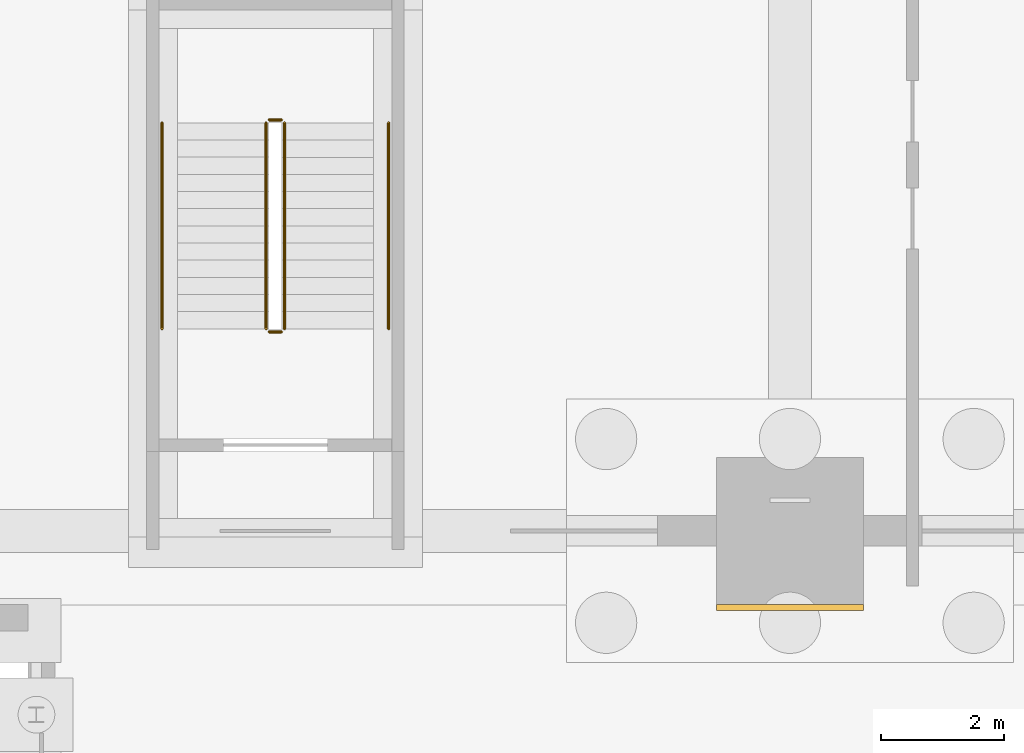
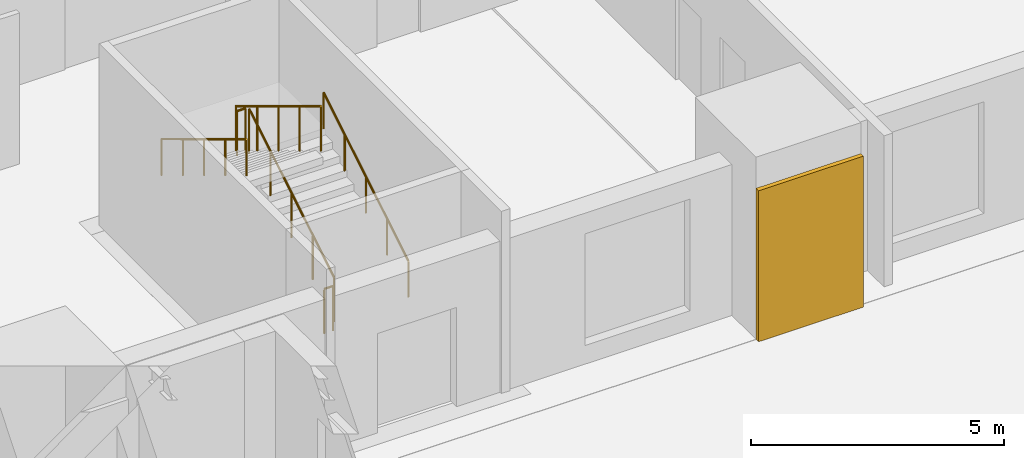
# One storey, part 118 of 139: 6 railings, 1 covering.
"""IFC4 building model written with IfcOpenShell, lengths in metres."""

from ifc_helpers import new_model, si_unit, direction, frame, origin, origin_2d, place, context, subcontext, project, spatial, rectangle, circle, extrude, material, layer, layer_set, type_object, element, save


model = new_model("IFC4")

# Units and contexts
model_context = context("Model", 3, precision=1e-05, world=origin(), true_north=direction((0.0, 1.0)))
body_context = subcontext(model_context, "Body", "Model", "MODEL_VIEW")
ifc_project = project(units=[si_unit("LENGTHUNIT", "METRE"), si_unit("AREAUNIT", "SQUARE_METRE"), si_unit("VOLUMEUNIT", "CUBIC_METRE"), si_unit("PLANEANGLEUNIT", "RADIAN"), si_unit("MASSUNIT", "GRAM", prefix="KILO")], contexts=[model_context])

# Site, building, storey
site_placement = place(None, origin())
site = spatial("IfcSite", under=ifc_project, at=site_placement, CompositionType="ELEMENT")
building_placement = place(site_placement, origin())
building = spatial("IfcBuilding", under=site, at=building_placement, Name="Verrick Yard Athletic Hall", CompositionType="ELEMENT")
storey_placement = place(building_placement, origin())
storey = spatial("IfcBuildingStorey", under=building, at=storey_placement, Name="L00", CompositionType="ELEMENT", Elevation=0.0)

# Covering
ifc_material_1 = material(Name="Rusticated limestone cladding", Category="masonry")
ifc_layer = layer(ifc_material_1, 0.10009765625)
ifc_layer_set = layer_set([ifc_layer], Name="Pier base cladding")
covering_type = type_object("IfcCoveringType", Name="Pier base cladding", PredefinedType="CLADDING", material=ifc_layer_set)
covering_placement = place(storey_placement, frame((124.0, 17.949951171875, 0.0), z_axis=(0.0, 0.0, 1.0), x_axis=(1.0, 0.0, 0.0)))
element("IfcCovering", 1, at=covering_placement, inside=storey, type_object=covering_type, Name="Pier base S6", PredefinedType="CLADDING", context=body_context, shape_type="SweptSolid", body=[
    extrude(rectangle(XDim=2.39990234375, YDim=0.10009765625, at=origin_2d()), origin(), (0.0, 0.0, 1.0), 3.64990234375),
])

# Railings
ifc_material_2 = material(Name="Stainless steel", Category="steel")
railing_type_1 = type_object("IfcRailingType", Name="Stair and core guard 1100", PredefinedType="GUARDRAIL", material=ifc_material_2)
railing_1_placement = place(storey_placement, frame((115.75, 22.5, 0.169189453125)))
element("IfcRailing", 2, at=railing_1_placement, inside=storey, type_object=railing_type_1, Name="L00 South plinth exit 3 stair guard 1", PredefinedType="GUARDRAIL", context=body_context, shape_type="SweptSolid", body=[
    extrude(circle(Radius=0.02392578125, at=origin_2d()), frame((0.0, 0.0, 1.076171875), z_axis=(0.0, 0.855836976705, 0.517245656632), x_axis=(-1.0, 0.0, 0.0)), (0.0, 0.0, 1.0), 3.926025390625),
    extrude(circle(Radius=0.02099609375, at=origin_2d()), origin(), (0.0, 0.0, 1.0), 1.052001953125),
    extrude(circle(Radius=0.02099609375, at=origin_2d()), frame((0.0, 0.840087890625, 0.5078125)), (0.0, 0.0, 1.0), 1.052001953125),
    extrude(circle(Radius=0.02099609375, at=origin_2d()), frame((0.0, 1.68017578125, 1.015380859375)), (0.0, 0.0, 1.0), 1.052001953125),
    extrude(circle(Radius=0.02099609375, at=origin_2d()), frame((0.0, 2.52001953125, 1.52294921875)), (0.0, 0.0, 1.0), 1.052001953125),
    extrude(circle(Radius=0.02099609375, at=origin_2d()), frame((0.0, 3.360107421875, 2.03076171875)), (0.0, 0.0, 1.0), 1.052001953125),
])
railing_2_placement = place(storey_placement, frame((115.699951171875, 25.909912109375, 2.199951171875)))
element("IfcRailing", 3, at=railing_2_placement, inside=storey, type_object=railing_type_1, Name="L00 South plinth exit 3 stair guard 2", PredefinedType="GUARDRAIL", context=body_context, shape_type="SweptSolid", body=[
    extrude(circle(Radius=0.02392578125, at=origin_2d()), frame((0.0, 0.0, 1.076171875), z_axis=(-1.0, 0.0, 0.0), x_axis=(0.0, -1.0, 0.0)), (0.0, 0.0, 1.0), 0.199951171875),
    extrude(circle(Radius=0.02099609375, at=origin_2d()), origin(), (0.0, 0.0, 1.0), 1.052001953125),
    extrude(circle(Radius=0.02099609375, at=origin_2d()), frame((-0.199951171875, 0.0, 0.0)), (0.0, 0.0, 1.0), 1.052001953125),
])
railing_3_placement = place(storey_placement, frame((115.449951171875, 25.860107421875, 2.369140625)))
element("IfcRailing", 4, at=railing_3_placement, inside=storey, type_object=railing_type_1, Name="L00 South plinth exit 3 stair guard 3", PredefinedType="GUARDRAIL", context=body_context, shape_type="SweptSolid", body=[
    extrude(circle(Radius=0.02392578125, at=origin_2d()), frame((0.0, 0.0, 1.076171875), z_axis=(0.0, -0.855836976705, 0.517245656632), x_axis=(1.0, 0.0, 0.0)), (0.0, 0.0, 1.0), 3.926025390625),
    extrude(circle(Radius=0.02099609375, at=origin_2d()), origin(), (0.0, 0.0, 1.0), 1.052001953125),
    extrude(circle(Radius=0.02099609375, at=origin_2d()), frame((0.0, -0.840087890625, 0.5078125)), (0.0, 0.0, 1.0), 1.052001953125),
    extrude(circle(Radius=0.02099609375, at=origin_2d()), frame((0.0, -1.68017578125, 1.015380859375)), (0.0, 0.0, 1.0), 1.052001953125),
    extrude(circle(Radius=0.02099609375, at=origin_2d()), frame((0.0, -2.52001953125, 1.52294921875)), (0.0, 0.0, 1.0), 1.052001953125),
    extrude(circle(Radius=0.02099609375, at=origin_2d()), frame((0.0, -3.360107421875, 2.03076171875)), (0.0, 0.0, 1.0), 1.052001953125),
])
railing_4_placement = place(storey_placement, frame((115.699951171875, 22.449951171875, 0.0)))
element("IfcRailing", 5, at=railing_4_placement, inside=storey, type_object=railing_type_1, Name="L00 South plinth exit 3 stair guard 4", PredefinedType="GUARDRAIL", context=body_context, shape_type="SweptSolid", body=[
    extrude(circle(Radius=0.02392578125, at=origin_2d()), frame((0.0, 0.0, 1.076171875), z_axis=(-1.0, 0.0, 0.0), x_axis=(0.0, -1.0, 0.0)), (0.0, 0.0, 1.0), 0.199951171875),
    extrude(circle(Radius=0.02099609375, at=origin_2d()), origin(), (0.0, 0.0, 1.0), 1.052001953125),
    extrude(circle(Radius=0.02099609375, at=origin_2d()), frame((-0.199951171875, 0.0, 0.0)), (0.0, 0.0, 1.0), 1.052001953125),
])
railing_type_2 = type_object("IfcRailingType", Name="Stair handrail 900", PredefinedType="HANDRAIL", material=ifc_material_2)
railing_5_placement = place(storey_placement, frame((117.449951171875, 22.5, 0.169189453125)))
element("IfcRailing", 6, at=railing_5_placement, inside=storey, type_object=railing_type_2, Name="L00 South plinth exit 3 stair handrail 1", PredefinedType="HANDRAIL", context=body_context, shape_type="SweptSolid", body=[
    extrude(circle(Radius=0.02392578125, at=origin_2d()), frame((0.0, 0.0, 0.8759765625), z_axis=(0.0, 0.855836976705, 0.517245656632), x_axis=(-1.0, 0.0, 0.0)), (0.0, 0.0, 1.0), 3.926025390625),
    extrude(circle(Radius=0.02099609375, at=origin_2d()), origin(), (0.0, 0.0, 1.0), 0.851806640625),
    extrude(circle(Radius=0.02099609375, at=origin_2d()), frame((0.0, 0.840087890625, 0.5078125)), (0.0, 0.0, 1.0), 0.851806640625),
    extrude(circle(Radius=0.02099609375, at=origin_2d()), frame((0.0, 1.68017578125, 1.015380859375)), (0.0, 0.0, 1.0), 0.851806640625),
    extrude(circle(Radius=0.02099609375, at=origin_2d()), frame((0.0, 2.52001953125, 1.52294921875)), (0.0, 0.0, 1.0), 0.851806640625),
    extrude(circle(Radius=0.02099609375, at=origin_2d()), frame((0.0, 3.360107421875, 2.03076171875)), (0.0, 0.0, 1.0), 0.851806640625),
])
railing_6_placement = place(storey_placement, frame((113.75, 25.860107421875, 2.369140625)))
element("IfcRailing", 7, at=railing_6_placement, inside=storey, type_object=railing_type_2, Name="L00 South plinth exit 3 stair handrail 2", PredefinedType="HANDRAIL", context=body_context, shape_type="SweptSolid", body=[
    extrude(circle(Radius=0.02392578125, at=origin_2d()), frame((0.0, 0.0, 0.8759765625), z_axis=(0.0, -0.855836976705, 0.517245656632), x_axis=(1.0, 0.0, 0.0)), (0.0, 0.0, 1.0), 3.926025390625),
    extrude(circle(Radius=0.02099609375, at=origin_2d()), origin(), (0.0, 0.0, 1.0), 0.851806640625),
    extrude(circle(Radius=0.02099609375, at=origin_2d()), frame((0.0, -0.840087890625, 0.5078125)), (0.0, 0.0, 1.0), 0.851806640625),
    extrude(circle(Radius=0.02099609375, at=origin_2d()), frame((0.0, -1.68017578125, 1.015380859375)), (0.0, 0.0, 1.0), 0.851806640625),
    extrude(circle(Radius=0.02099609375, at=origin_2d()), frame((0.0, -2.52001953125, 1.52294921875)), (0.0, 0.0, 1.0), 0.851806640625),
    extrude(circle(Radius=0.02099609375, at=origin_2d()), frame((0.0, -3.360107421875, 2.03076171875)), (0.0, 0.0, 1.0), 0.851806640625),
])

save(model, "model.ifc")
